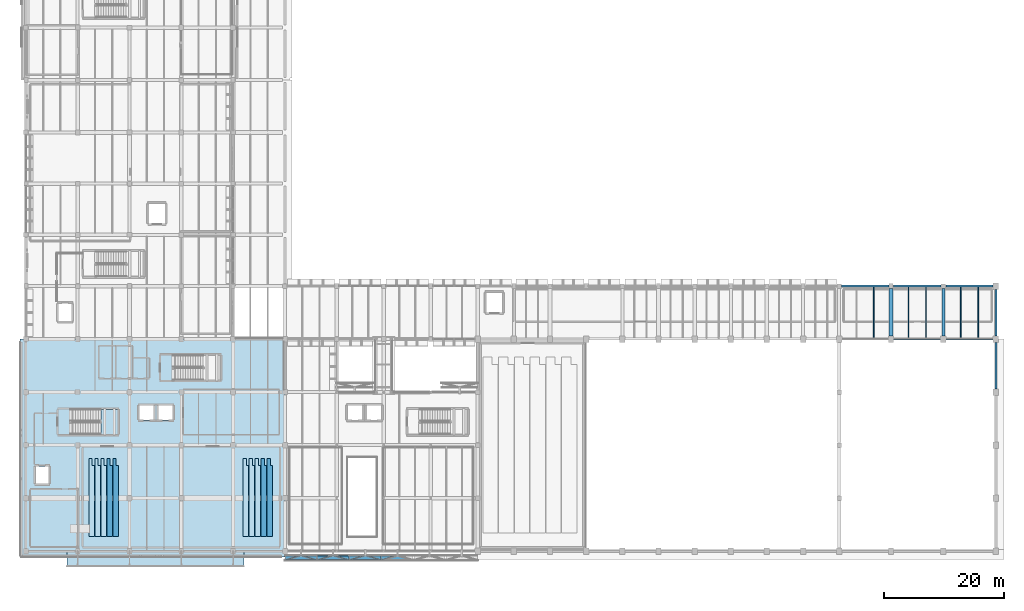
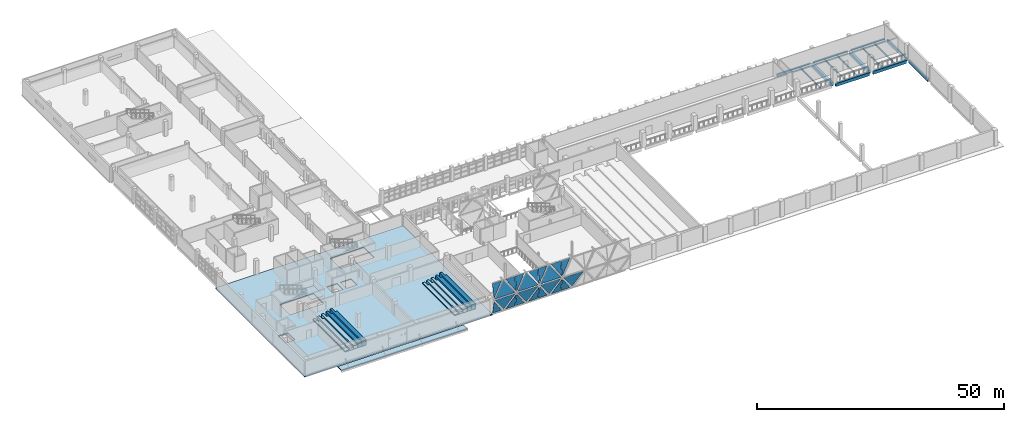
# One storey, part 48 of 80: 21 plates, 14 beams, 13 slabs, 5 elements without a shape of their own.
"""IFC4 building model written with IfcOpenShell, lengths in metres."""

from ifc_helpers import new_model, si_unit, direction, frame, origin, origin_2d, place, context, subcontext, project, spatial, polyline, rectangle, i_section, outline, extrude, material, layer, layer_set, material_profile, profile_set, type_object, element, aggregate, save


model = new_model("IFC4")

# Units and contexts
model_context = context("Model", 3, precision=1e-05, world=origin(), true_north=direction((0.0, 1.0)))
body_context = subcontext(model_context, "Body", "Model", "MODEL_VIEW")
ifc_project = project(units=[si_unit("LENGTHUNIT", "METRE"), si_unit("AREAUNIT", "SQUARE_METRE"), si_unit("VOLUMEUNIT", "CUBIC_METRE"), si_unit("PLANEANGLEUNIT", "RADIAN"), si_unit("MASSUNIT", "GRAM", prefix="KILO")], contexts=[model_context])

# Site, building, storey
site_placement = place(None, origin())
site = spatial("IfcSite", under=ifc_project, at=site_placement, CompositionType="ELEMENT")
building_placement = place(site_placement, origin())
building = spatial("IfcBuilding", under=site, at=building_placement, Name="Varnakota Cinema and Media Centre", CompositionType="ELEMENT")
storey_placement = place(building_placement, frame((0.0, 0.0, 4.5)))
storey = spatial("IfcBuildingStorey", under=building, at=storey_placement, Name="L01", CompositionType="ELEMENT", Elevation=4.5)

# Beams
ifc_material_1 = material(Name="Concrete M35", Category="concrete")
ifc_material_profile_1 = material_profile(ifc_material_1, rectangle(XDim=0.550048828125, YDim=0.800048828125, at=origin_2d()), Name="RCB 550x800")
ifc_profile_set_1 = profile_set([ifc_material_profile_1], Name="Concrete M35")
beam_type_1 = type_object("IfcBeamType", Name="BM-RC-550x800", PredefinedType="BEAM", material=ifc_profile_set_1)
beam_1_placement = place(storey_placement, frame((152.300048828125, 35.75, -0.64990234375), z_axis=(0.0, 1.0, 0.0), x_axis=(-1.0, 0.0, 0.0)))
element("IfcBeam", 1, at=beam_1_placement, inside=storey, type_object=beam_type_1, Name="L01 girder X/5-6", PredefinedType="BEAM", context=body_context, shape_type="SweptSolid", body=[
    extrude(rectangle(XDim=0.550048828125, YDim=0.800048828125, at=origin_2d()), origin(), (0.0, 0.0, 1.0), 7.85009765625),
])
ifc_material_2 = material(Name="Concrete M35", Category="concrete")
ifc_material_profile_2 = material_profile(ifc_material_2, rectangle(XDim=0.60009765625, YDim=0.85009765625, at=origin_2d()), Name="RCB 600x850")
ifc_profile_set_2 = profile_set([ifc_material_profile_2], Name="Concrete M35")
beam_type_2 = type_object("IfcBeamType", Name="BM-RC-600x850", PredefinedType="BEAM", material=ifc_profile_set_2)
beam_2_placement = place(storey_placement, frame((143.60009765625, 35.75, -0.675048828125), z_axis=(0.0, 1.0, 0.0), x_axis=(-1.0, 0.0, 0.0)))
element("IfcBeam", 2, at=beam_2_placement, inside=storey, type_object=beam_type_2, Name="L01 girder W/5-6", PredefinedType="BEAM", context=body_context, shape_type="SweptSolid", body=[
    extrude(rectangle(XDim=0.60009765625, YDim=0.85009765625, at=origin_2d()), origin(), (0.0, 0.0, 1.0), 7.824951171875),
])
ifc_material_3 = material(Name="Concrete M40", Category="concrete")
ifc_material_profile_3 = material_profile(ifc_material_3, rectangle(XDim=0.35009765625, YDim=0.64990234375, at=origin_2d()), Name="RCB 350x650")
ifc_profile_set_3 = profile_set([ifc_material_profile_3], Name="Concrete M40")
beam_type_3 = type_object("IfcBeamType", Name="BM-SP-350x650", PredefinedType="SPANDREL", material=ifc_profile_set_3)
beam_3_placement = place(storey_placement, frame((135.39990234375, 44.0, -0.574951171875), z_axis=(1.0, 0.0, 0.0), x_axis=(0.0, 1.0, 0.0)))
element("IfcBeam", 3, at=beam_3_placement, inside=storey, type_object=beam_type_3, Name="L01 girder V-W/6", PredefinedType="SPANDREL", context=body_context, shape_type="SweptSolid", body=[
    extrude(rectangle(XDim=0.35009765625, YDim=0.64990234375, at=origin_2d()), origin(), (0.0, 0.0, 1.0), 7.8251953125),
])
beam_4_placement = place(storey_placement, frame((143.97509765625, 44.0, -0.574951171875), z_axis=(1.0, 0.0, 0.0), x_axis=(0.0, 1.0, 0.0)))
element("IfcBeam", 4, at=beam_4_placement, inside=storey, type_object=beam_type_3, Name="L01 girder W-X/6", PredefinedType="SPANDREL", context=body_context, shape_type="SweptSolid", body=[
    extrude(rectangle(XDim=0.35009765625, YDim=0.64990234375, at=origin_2d()), origin(), (0.0, 0.0, 1.0), 7.9248046875),
])
beam_5_placement = place(storey_placement, frame((152.699951171875, 44.0, -0.574951171875), z_axis=(1.0, 0.0, 0.0), x_axis=(0.0, 1.0, 0.0)))
element("IfcBeam", 5, at=beam_5_placement, inside=storey, type_object=beam_type_3, Name="L01 girder X-Y/6", PredefinedType="SPANDREL", context=body_context, shape_type="SweptSolid", body=[
    extrude(rectangle(XDim=0.35009765625, YDim=0.64990234375, at=origin_2d()), origin(), (0.0, 0.0, 1.0), 7.85009765625),
])
ifc_material_4 = material(Name="Concrete M40", Category="concrete")
ifc_material_profile_4 = material_profile(ifc_material_4, rectangle(XDim=0.35009765625, YDim=0.75, at=origin_2d()), Name="RCB 350x750")
ifc_profile_set_4 = profile_set([ifc_material_profile_4], Name="Concrete M40")
beam_type_4 = type_object("IfcBeamType", Name="BM-SP-350x750", PredefinedType="SPANDREL", material=ifc_profile_set_4)
for number, where, z_axis, x_axis, name in (
    (6, (144.050048828125, 35.199951171875, -0.625), (1.0, 0.0, 0.0), (0.0, 1.0, 0.0), "L01 girder W-X/5"),
    (7, (152.75, 35.199951171875, -0.625), (1.0, 0.0, 0.0), (0.0, 1.0, 0.0), "L01 girder X-Y/5"),
):
    element("IfcBeam", number, at=place(storey_placement, frame(where, z_axis=z_axis, x_axis=x_axis)), inside=storey, type_object=beam_type_4, Name=name, PredefinedType="SPANDREL", context=body_context, shape_type="SweptSolid", body=[
        extrude(rectangle(XDim=0.35009765625, YDim=0.75, at=origin_2d()), origin(), (0.0, 0.0, 1.0), 7.800048828125),
    ])
for number, where, z_axis, x_axis, name in (
    (8, (161.0, 26.949951171875, -0.375), (0.0, 1.0, 0.0), (-1.0, 0.0, 0.0), "L01 girder Y/4-5"),
    (9, (161.0, 35.75, -0.625), (0.0, 1.0, 0.0), (-1.0, 0.0, 0.0), "L01 girder Y/5-6"),
):
    element("IfcBeam", number, at=place(storey_placement, frame(where, z_axis=z_axis, x_axis=x_axis)), inside=storey, type_object=beam_type_4, Name=name, PredefinedType="SPANDREL", context=body_context, shape_type="SweptSolid", body=[
        extrude(rectangle(XDim=0.35009765625, YDim=0.75, at=origin_2d()), origin(), (0.0, 0.0, 1.0), 7.699951171875),
    ])
ifc_material_5 = material(Name="Structural steel Grade 350 (E350)", Category="steel")
ifc_material_profile_5 = material_profile(ifc_material_5, i_section(OverallWidth=0.139892578125, OverallDepth=0.35009765625, WebThickness=0.008056640625, FlangeThickness=0.01416015625, FilletRadius=0.013916015625, at=origin_2d()), Name="ISMB 350")
ifc_profile_set_5 = profile_set([ifc_material_profile_5], Name="Structural steel Grade 350 (E350)")
beam_type_5 = type_object("IfcBeamType", Name="BM-ST-ISMB350", PredefinedType="JOIST", material=ifc_profile_set_5)
beam_6_placement = place(storey_placement, frame((140.7333984375, 35.375, -0.425048828125), z_axis=(0.0, 1.0, 0.0), x_axis=(-1.0, 0.0, 0.0)))
element("IfcBeam", 10, at=beam_6_placement, inside=storey, type_object=beam_type_5, Name="L01 steel joist V-W/5-6 #2", PredefinedType="JOIST", context=body_context, shape_type="SweptSolid", body=[
    extrude(i_section(OverallWidth=0.139892578125, OverallDepth=0.35009765625, WebThickness=0.008056640625, FlangeThickness=0.01416015625, FilletRadius=0.013916015625, at=origin_2d()), origin(), (0.0, 0.0, 1.0), 8.449951171875),
])
ifc_material_6 = material(Name="Structural steel Grade 350 (E350)", Category="steel")
ifc_material_profile_6 = material_profile(ifc_material_6, i_section(OverallWidth=0.139892578125, OverallDepth=0.39990234375, WebThickness=0.0087890625, FlangeThickness=0.01611328125, FilletRadius=0.013916015625, at=origin_2d()), Name="ISMB 400")
ifc_profile_set_6 = profile_set([ifc_material_profile_6], Name="Structural steel Grade 350 (E350)")
beam_type_6 = type_object("IfcBeamType", Name="BM-ST-ISMB400", PredefinedType="JOIST", material=ifc_profile_set_6)
for number, where, z_axis, x_axis, name in (
    (11, (146.5, 35.375, -0.449951171875), (0.0, 1.0, 0.0), (-1.0, 0.0, 0.0), "L01 steel joist W-X/5-6 #1"),
    (12, (149.39990234375, 35.375, -0.449951171875), (0.0, 1.0, 0.0), (-1.0, 0.0, 0.0), "L01 steel joist W-X/5-6 #2"),
):
    element("IfcBeam", number, at=place(storey_placement, frame(where, z_axis=z_axis, x_axis=x_axis)), inside=storey, type_object=beam_type_6, Name=name, PredefinedType="JOIST", context=body_context, shape_type="SweptSolid", body=[
        extrude(i_section(OverallWidth=0.139892578125, OverallDepth=0.39990234375, WebThickness=0.0087890625, FlangeThickness=0.01611328125, FilletRadius=0.013916015625, at=origin_2d()), origin(), (0.0, 0.0, 1.0), 8.449951171875),
    ])
ifc_material_7 = material(Name="Structural steel Grade 350 (E350)", Category="steel")
ifc_material_profile_7 = material_profile(ifc_material_7, i_section(OverallWidth=0.14990234375, OverallDepth=0.449951171875, WebThickness=0.009521484375, FlangeThickness=0.017333984375, FilletRadius=0.014892578125, at=origin_2d()), Name="ISMB 450")
ifc_profile_set_7 = profile_set([ifc_material_profile_7], Name="Structural steel Grade 350 (E350)")
beam_type_7 = type_object("IfcBeamType", Name="BM-ST-ISMB450", PredefinedType="BEAM", material=ifc_profile_set_7)
for number, where, z_axis, x_axis, name in (
    (13, (155.199951171875, 35.375, -0.47509765625), (0.0, 1.0, 0.0), (-1.0, 0.0, 0.0), "L01 steel joist X-Y/5-6 #1"),
    (14, (158.10009765625, 35.375, -0.47509765625), (0.0, 1.0, 0.0), (-1.0, 0.0, 0.0), "L01 steel joist X-Y/5-6 #2"),
):
    element("IfcBeam", number, at=place(storey_placement, frame(where, z_axis=z_axis, x_axis=x_axis)), inside=storey, type_object=beam_type_7, Name=name, PredefinedType="BEAM", context=body_context, shape_type="SweptSolid", body=[
        extrude(i_section(OverallWidth=0.14990234375, OverallDepth=0.449951171875, WebThickness=0.009521484375, FlangeThickness=0.017333984375, FilletRadius=0.014892578125, at=origin_2d()), origin(), (0.0, 0.0, 1.0), 8.449951171875),
    ])

# Curtain wall, plate
ifc_material_8 = material(Name="Anodised golden-bronze aluminium AW-6063", Category="aluminium")
curtain_wall_type = type_object("IfcCurtainWallType", Name="CW-DMD-533x750", PredefinedType="USERDEFINED", material=ifc_material_8)
curtain_wall_1_placement = place(storey_placement, origin())
curtain_wall_1 = element("IfcCurtainWall", 15, at=curtain_wall_1_placement, inside=storey, type_object=curtain_wall_type, Name="L01 folded diamond foyer curtain wall CW-V6DMD-S-T1-D03", ObjectType="DIAMOND FOLDED CURTAIN WALL", PredefinedType="USERDEFINED")
ifc_material_9 = material(Name="Laminated solar-control double glazing", Category="glass")
ifc_layer_1 = layer(ifc_material_9, 0.028076171875)
ifc_layer_set_1 = layer_set([ifc_layer_1], Name="Laminated solar-control double glazing")
plate_type_1 = type_object("IfcPlateType", Name="CWP-DGU-28", PredefinedType="CURTAIN_PANEL", material=ifc_layer_set_1)
plate_1_placement = place(storey_placement, frame((64.05322265625, -1.410888671875, 3.610107421875), z_axis=(0.0, 0.979936434053, 0.199310273733), x_axis=(-0.558848593139, 0.165281972661, -0.812631601317)))
plate_1 = element("IfcPlate", 16, at=plate_1_placement, type_object=plate_type_1, Name="CW-V6DMD-S-T1-D03 lower diamond fitted glass facet", PredefinedType="CURTAIN_PANEL", context=body_context, shape_type="SweptSolid", body=[
    extrude(outline(polyline([(0.0, 0.0), (4.270341982915933, 2.220446049250313e-16), (2.667492393667162, 3.9582646672133275), (0.0, 0.0)])), origin(), (0.0, 0.0, -1.0), 0.02392578125),
])

# Curtain wall, plates
curtain_wall_2_placement = place(storey_placement, origin())
curtain_wall_2 = element("IfcCurtainWall", 17, at=curtain_wall_2_placement, inside=storey, type_object=curtain_wall_type, Name="L01 folded diamond foyer curtain wall CW-V6DMD-S-T1-D04", ObjectType="DIAMOND FOLDED CURTAIN WALL", PredefinedType="USERDEFINED")
plate_2_placement = place(storey_placement, frame((58.719970703125, -1.410888671875, 3.610107421875), z_axis=(0.0, 0.979936434053, 0.199310273733), x_axis=(-0.558887907225, 0.165276691877, -0.812605637612)))
plate_2 = element("IfcPlate", 18, at=plate_2_placement, type_object=plate_type_1, Name="CW-V6DMD-S-T1-D04 lower diamond fitted glass facet", PredefinedType="CURTAIN_PANEL", context=body_context, shape_type="SweptSolid", body=[
    extrude(outline(polyline([(0.0, 0.0), (4.270478425359902, 2.220446049250313e-16), (2.667680047402581, 3.958138200047058), (0.0, 0.0)])), origin(), (0.0, 0.0, -1.0), 0.02392578125),
])
plate_3_placement = place(storey_placement, frame((58.719970703125, -1.410888671875, 3.889892578125), z_axis=(0.0, -0.979936434053, 0.199310273733), x_axis=(-1.0, 0.0, 0.0)))
plate_3 = element("IfcPlate", 19, at=plate_3_placement, type_object=plate_type_1, Name="CW-V6DMD-S-T1-D04 upper diamond fitted glass facet", PredefinedType="CURTAIN_PANEL", context=body_context, shape_type="SweptSolid", body=[
    extrude(outline(polyline([(0.0, 0.0), (4.773193359375, 0.0), (2.38671875, -3.5412652526834), (0.0, 0.0)])), origin(), (0.0, 0.0, -1.0), 0.02392578125),
])

curtain_wall_3_placement = place(storey_placement, origin())
curtain_wall_3 = element("IfcCurtainWall", 20, at=curtain_wall_3_placement, inside=storey, type_object=curtain_wall_type, Name="L01 folded diamond foyer curtain wall CW-V6DMD-S-T1-D05", ObjectType="DIAMOND FOLDED CURTAIN WALL", PredefinedType="USERDEFINED")
plate_4_placement = place(storey_placement, frame((53.38671875, -1.410888671875, 3.610107421875), z_axis=(0.0, 0.979936434053, 0.199310273733), x_axis=(-0.558887907225, 0.165276691877, -0.812605637612)))
plate_4 = element("IfcPlate", 21, at=plate_4_placement, type_object=plate_type_1, Name="CW-V6DMD-S-T1-D05 lower diamond fitted glass facet", PredefinedType="CURTAIN_PANEL", context=body_context, shape_type="SweptSolid", body=[
    extrude(outline(polyline([(0.0, 0.0), (4.270478425359902, 0.0), (2.6678164946455554, 3.9583406520034816), (0.0, 0.0)])), origin(), (0.0, 0.0, -1.0), 0.02392578125),
])
plate_5_placement = place(storey_placement, frame((53.38671875, -1.410888671875, 3.889892578125), z_axis=(0.0, -0.979936434053, 0.199310273733), x_axis=(-1.0, 0.0, 0.0)))
plate_5 = element("IfcPlate", 22, at=plate_5_placement, type_object=plate_type_1, Name="CW-V6DMD-S-T1-D05 upper diamond fitted glass facet", PredefinedType="CURTAIN_PANEL", context=body_context, shape_type="SweptSolid", body=[
    extrude(outline(polyline([(0.0, 0.0), (4.7734375, 0.0), (2.38671875, -3.5412652526833996), (0.0, 0.0)])), origin(), (0.0, 0.0, -1.0), 0.02392578125),
])

curtain_wall_4_placement = place(storey_placement, origin())
curtain_wall_4 = element("IfcCurtainWall", 23, at=curtain_wall_4_placement, inside=storey, type_object=curtain_wall_type, Name="L01 folded diamond foyer curtain wall CW-V6DMD-S-T1-D06", ObjectType="DIAMOND FOLDED CURTAIN WALL", PredefinedType="USERDEFINED")
plate_6_placement = place(storey_placement, frame((48.05322265625, -1.410888671875, 3.610107421875), z_axis=(0.0, 0.979936434053, 0.199310273733), x_axis=(-0.558848593139, 0.165281972661, -0.812631601317)))
plate_6 = element("IfcPlate", 24, at=plate_6_placement, type_object=plate_type_1, Name="CW-V6DMD-S-T1-D06 lower diamond fitted glass facet", PredefinedType="CURTAIN_PANEL", context=body_context, shape_type="SweptSolid", body=[
    extrude(outline(polyline([(0.0, 0.0), (4.270341982915933, 2.220446049250313e-16), (2.667492393667162, 3.9582646672133275), (0.0, 0.0)])), origin(), (0.0, 0.0, -1.0), 0.02392578125),
])
plate_7_placement = place(storey_placement, frame((48.05322265625, -1.410888671875, 3.889892578125), z_axis=(0.0, -0.979936434053, 0.199310273733), x_axis=(-1.0, 0.0, 0.0)))
plate_7 = element("IfcPlate", 25, at=plate_7_placement, type_object=plate_type_1, Name="CW-V6DMD-S-T1-D06 upper diamond fitted glass facet", PredefinedType="CURTAIN_PANEL", context=body_context, shape_type="SweptSolid", body=[
    extrude(outline(polyline([(0.0, 0.0), (4.773193359375, 0.0), (2.386474609375, -3.5412652526834), (0.0, 0.0)])), origin(), (0.0, 0.0, -1.0), 0.02392578125),
])

# Plate
ifc_material_10 = material(Name="Anodised golden-bronze aluminium AW-6063", Category="aluminium")
ifc_layer_2 = layer(ifc_material_10, 0.035888671875)
ifc_layer_set_2 = layer_set([ifc_layer_2], Name="Anodised golden-bronze aluminium AW-6063")
plate_type_2 = type_object("IfcPlateType", Name="CWP-GOLD-36", PredefinedType="CURTAIN_PANEL", material=ifc_layer_set_2)
plate_8_placement = place(storey_placement, frame((61.186767578125, -0.778076171875, 0.10009765625), z_axis=(0.0, 0.979925277754, 0.199365117357), x_axis=(-1.0, 0.0, 0.0)))
plate_8 = element("IfcPlate", 26, at=plate_8_placement, type_object=plate_type_2, Name="CW-V6DMD-S-T1-D03 golden metal folded diamond spandrel SP-BR", PredefinedType="CURTAIN_PANEL", context=body_context, shape_type="SweptSolid", body=[
    extrude(outline(polyline([(0.0, 0.0), (2.126708984375, 0.0), (2.126708984375, 3.337009061287777), (0.0, 0.0)])), origin(), (0.0, 0.0, -1.0), 0.028076171875),
])

plate_9_placement = place(storey_placement, frame((59.06005859375, -1.443359375, 4.1298828125), z_axis=(0.0, -0.979925277754, 0.199365117357), x_axis=(0.0, 0.199365117357, 0.979925277754)))
plate_9 = element("IfcPlate", 27, at=plate_9_placement, type_object=plate_type_2, Name="CW-V6DMD-S-T1-D03 golden metal folded diamond spandrel SP-TR", PredefinedType="CURTAIN_PANEL", context=body_context, shape_type="SweptSolid", body=[
    extrude(outline(polyline([(0.0, 0.0), (3.337009061287777, 0.0), (3.337009061287777, -2.126708984375), (0.0, 0.0)])), origin(), (0.0, 0.0, -1.0), 0.028076171875),
])

aggregate(curtain_wall_1, [plate_1, plate_8, plate_9])

plate_10_placement = place(storey_placement, frame((58.93994140625, -0.778076171875, 0.10009765625), z_axis=(0.0, 0.979925277754, 0.199365117357), x_axis=(-1.0, 0.0, 0.0)))
plate_10 = element("IfcPlate", 28, at=plate_10_placement, type_object=plate_type_2, Name="CW-V6DMD-S-T1-D04 golden metal folded diamond spandrel SP-BL", PredefinedType="CURTAIN_PANEL", context=body_context, shape_type="SweptSolid", body=[
    extrude(outline(polyline([(0.0, 0.0), (2.126708984375, 0.0), (0.0, 3.337009061287777), (0.0, 0.0)])), origin(), (0.0, 0.0, -1.0), 0.028076171875),
])

plate_11_placement = place(storey_placement, frame((55.853271484375, -0.778076171875, 0.10009765625), z_axis=(0.0, 0.979925277754, 0.199365117357), x_axis=(-1.0, 0.0, 0.0)))
plate_11 = element("IfcPlate", 29, at=plate_11_placement, type_object=plate_type_2, Name="CW-V6DMD-S-T1-D04 golden metal folded diamond spandrel SP-BR", PredefinedType="CURTAIN_PANEL", context=body_context, shape_type="SweptSolid", body=[
    extrude(outline(polyline([(0.0, 0.0), (2.126708984375, 0.0), (2.126708984375, 3.337009061287777), (0.0, 0.0)])), origin(), (0.0, 0.0, -1.0), 0.028076171875),
])

plate_12_placement = place(storey_placement, frame((58.93994140625, -1.443359375, 4.1298828125), z_axis=(0.0, -0.979925277754, 0.199365117357), x_axis=(-0.537443360527, 0.168124573233, 0.826370838124)))
plate_12 = element("IfcPlate", 30, at=plate_12_placement, type_object=plate_type_2, Name="CW-V6DMD-S-T1-D04 golden metal folded diamond spandrel SP-TL", PredefinedType="CURTAIN_PANEL", context=body_context, shape_type="SweptSolid", body=[
    extrude(outline(polyline([(0.0, 0.0), (3.957084858748682, -2.220446049250313e-16), (2.814099235323971, -1.7934533640063717), (0.0, 0.0)])), origin(), (0.0, 0.0, -1.0), 0.028076171875),
])

plate_13_placement = place(storey_placement, frame((53.7265625, -1.443359375, 4.1298828125), z_axis=(0.0, -0.979925277754, 0.199365117357), x_axis=(0.0, 0.199365117357, 0.979925277754)))
plate_13 = element("IfcPlate", 31, at=plate_13_placement, type_object=plate_type_2, Name="CW-V6DMD-S-T1-D04 golden metal folded diamond spandrel SP-TR", PredefinedType="CURTAIN_PANEL", context=body_context, shape_type="SweptSolid", body=[
    extrude(outline(polyline([(0.0, 0.0), (3.337009061287777, 0.0), (3.337009061287777, -2.126708984375), (0.0, 0.0)])), origin(), (0.0, 0.0, -1.0), 0.028076171875),
])

aggregate(curtain_wall_2, [plate_2, plate_3, plate_10, plate_11, plate_12, plate_13])

plate_14_placement = place(storey_placement, frame((53.606689453125, -0.778076171875, 0.10009765625), z_axis=(0.0, 0.979925277754, 0.199365117357), x_axis=(-1.0, 0.0, 0.0)))
plate_14 = element("IfcPlate", 32, at=plate_14_placement, type_object=plate_type_2, Name="CW-V6DMD-S-T1-D05 golden metal folded diamond spandrel SP-BL", PredefinedType="CURTAIN_PANEL", context=body_context, shape_type="SweptSolid", body=[
    extrude(outline(polyline([(0.0, 0.0), (2.126708984375, 0.0), (0.0, 3.337009061287777), (0.0, 0.0)])), origin(), (0.0, 0.0, -1.0), 0.028076171875),
])

plate_15_placement = place(storey_placement, frame((50.52001953125, -0.778076171875, 0.10009765625), z_axis=(0.0, 0.979925277754, 0.199365117357), x_axis=(-1.0, 0.0, 0.0)))
plate_15 = element("IfcPlate", 33, at=plate_15_placement, type_object=plate_type_2, Name="CW-V6DMD-S-T1-D05 golden metal folded diamond spandrel SP-BR", PredefinedType="CURTAIN_PANEL", context=body_context, shape_type="SweptSolid", body=[
    extrude(outline(polyline([(0.0, 0.0), (2.126708984375, 0.0), (2.126708984375, 3.337009061287777), (0.0, 0.0)])), origin(), (0.0, 0.0, -1.0), 0.028076171875),
])

plate_16_placement = place(storey_placement, frame((53.606689453125, -1.443359375, 4.1298828125), z_axis=(0.0, -0.979925277754, 0.199365117357), x_axis=(-0.537443360527, 0.168124573233, 0.826370838124)))
plate_16 = element("IfcPlate", 34, at=plate_16_placement, type_object=plate_type_2, Name="CW-V6DMD-S-T1-D05 golden metal folded diamond spandrel SP-TL", PredefinedType="CURTAIN_PANEL", context=body_context, shape_type="SweptSolid", body=[
    extrude(outline(polyline([(0.0, 0.0), (3.957084858748682, -2.220446049250313e-16), (2.814099235323971, -1.7934533640063717), (0.0, 0.0)])), origin(), (0.0, 0.0, -1.0), 0.028076171875),
])

plate_17_placement = place(storey_placement, frame((48.393310546875, -1.443359375, 4.1298828125), z_axis=(0.0, -0.979925277754, 0.199365117357), x_axis=(0.0, 0.199365117357, 0.979925277754)))
plate_17 = element("IfcPlate", 35, at=plate_17_placement, type_object=plate_type_2, Name="CW-V6DMD-S-T1-D05 golden metal folded diamond spandrel SP-TR", PredefinedType="CURTAIN_PANEL", context=body_context, shape_type="SweptSolid", body=[
    extrude(outline(polyline([(0.0, 0.0), (3.337009061287777, 0.0), (3.337009061287777, -2.126708984375), (0.0, 0.0)])), origin(), (0.0, 0.0, -1.0), 0.028076171875),
])

aggregate(curtain_wall_3, [plate_4, plate_5, plate_14, plate_15, plate_16, plate_17])

plate_18_placement = place(storey_placement, frame((48.2734375, -0.778076171875, 0.10009765625), z_axis=(0.0, 0.979925277754, 0.199365117357), x_axis=(-1.0, 0.0, 0.0)))
plate_18 = element("IfcPlate", 36, at=plate_18_placement, type_object=plate_type_2, Name="CW-V6DMD-S-T1-D06 golden metal folded diamond spandrel SP-BL", PredefinedType="CURTAIN_PANEL", context=body_context, shape_type="SweptSolid", body=[
    extrude(outline(polyline([(0.0, 0.0), (2.126708984375, 0.0), (0.0, 3.337009061287777), (0.0, 0.0)])), origin(), (0.0, 0.0, -1.0), 0.028076171875),
])

plate_19_placement = place(storey_placement, frame((45.186767578125, -0.778076171875, 0.10009765625), z_axis=(0.0, 0.979925277754, 0.199365117357), x_axis=(-1.0, 0.0, 0.0)))
plate_19 = element("IfcPlate", 37, at=plate_19_placement, type_object=plate_type_2, Name="CW-V6DMD-S-T1-D06 golden metal folded diamond spandrel SP-BR", PredefinedType="CURTAIN_PANEL", context=body_context, shape_type="SweptSolid", body=[
    extrude(outline(polyline([(0.0, 0.0), (2.126708984375, 0.0), (2.126708984375, 3.337009061287777), (0.0, 0.0)])), origin(), (0.0, 0.0, -1.0), 0.028076171875),
])

plate_20_placement = place(storey_placement, frame((48.2734375, -1.443359375, 4.1298828125), z_axis=(0.0, -0.979925277754, 0.199365117357), x_axis=(-0.537443360527, 0.168124573233, 0.826370838124)))
plate_20 = element("IfcPlate", 38, at=plate_20_placement, type_object=plate_type_2, Name="CW-V6DMD-S-T1-D06 golden metal folded diamond spandrel SP-TL", PredefinedType="CURTAIN_PANEL", context=body_context, shape_type="SweptSolid", body=[
    extrude(outline(polyline([(0.0, 0.0), (3.957084858748682, -2.220446049250313e-16), (2.814099235323971, -1.7934533640063717), (0.0, 0.0)])), origin(), (0.0, 0.0, -1.0), 0.028076171875),
])

plate_21_placement = place(storey_placement, frame((43.06005859375, -1.443359375, 4.1298828125), z_axis=(0.0, -0.979925277754, 0.199365117357), x_axis=(0.0, 0.199365117357, 0.979925277754)))
plate_21 = element("IfcPlate", 39, at=plate_21_placement, type_object=plate_type_2, Name="CW-V6DMD-S-T1-D06 golden metal folded diamond spandrel SP-TR", PredefinedType="CURTAIN_PANEL", context=body_context, shape_type="SweptSolid", body=[
    extrude(outline(polyline([(0.0, 0.0), (3.337009061287777, 0.0), (3.337009061287777, -2.126708984375), (0.0, 0.0)])), origin(), (0.0, 0.0, -1.0), 0.028076171875),
])

aggregate(curtain_wall_4, [plate_6, plate_7, plate_18, plate_19, plate_20, plate_21])

# Slab
ifc_material_11 = material(Name="Concrete M35", Category="concrete")
ifc_layer_3 = layer(ifc_material_11, 0.25)
ifc_layer_set_3 = layer_set([ifc_layer_3], Name="Concrete M35")
slab_type_1 = type_object("IfcSlabType", Name="SLB-FLR-250", PredefinedType="FLOOR", material=ifc_layer_set_3)
slab_1_placement = place(storey_placement, frame((0.0, 0.0, -0.25)))
element("IfcSlab", 40, at=slab_1_placement, inside=storey, type_object=slab_type_1, Name="L01 V4 floor slab", PredefinedType="FLOOR", context=body_context, shape_type="SweptSolid", body=[
    extrude(outline(polyline([(-0.949951171875, -0.949951171875), (43.0, -0.949951171875), (43.0, 35.199951171875), (-0.949951171875, 35.199951171875), (-0.949951171875, -0.949951171875)]), holes=[polyline([(7.39990234375, 19.39990234375), (15.280029296875, 19.39990234375), (15.280029296875, 23.550048828125), (7.39990234375, 23.550048828125), (7.39990234375, 19.39990234375)]), polyline([(24.39990234375, 28.39990234375), (32.280029296875, 28.39990234375), (32.280029296875, 32.550048828125), (24.39990234375, 32.550048828125), (24.39990234375, 28.39990234375)]), polyline([(1.60009765625, 11.199951171875), (3.800048828125, 11.199951171875), (3.800048828125, 14.10009765625), (1.60009765625, 14.10009765625), (1.60009765625, 11.199951171875)]), polyline([(18.800048828125, 21.800048828125), (21.199951171875, 21.800048828125), (21.199951171875, 24.199951171875), (18.800048828125, 24.199951171875), (18.800048828125, 21.800048828125)]), polyline([(22.0, 21.800048828125), (24.39990234375, 21.800048828125), (24.39990234375, 24.199951171875), (22.0, 24.199951171875), (22.0, 21.800048828125)])]), origin(), (0.0, 0.0, 1.0), 0.25),
])

# Stair, slab
ifc_material_12 = material(Name="Concrete M35", Category="concrete")
stair_type = type_object("IfcStairType", Name="STR-CORE-ST-01-2000", PredefinedType="HALF_TURN_STAIR", material=ifc_material_12)
stair_placement = place(storey_placement, origin())
stair = element("IfcStair", 41, at=stair_placement, inside=storey, type_object=stair_type, Name="L01 West Firefighting Stair 1", PredefinedType="HALF_TURN_STAIR")
ifc_material_13 = material(Name="Concrete M35", Category="concrete")
ifc_layer_4 = layer(ifc_material_13, 0.199951171875)
ifc_layer_set_4 = layer_set([ifc_layer_4], Name="Concrete M35")
slab_type_2 = type_object("IfcSlabType", Name="SLB-LAND-ST-01", PredefinedType="LANDING", material=ifc_layer_set_4)
slab_2_placement = place(storey_placement, frame((0.0, 0.0, 1.75)))
slab_2 = element("IfcSlab", 42, at=slab_2_placement, type_object=slab_type_2, Name="ST-01 landing 1", PredefinedType="LANDING", context=body_context, shape_type="SweptSolid", body=[
    extrude(outline(polyline([(12.43994140625, 19.39990234375), (15.280029296875, 19.39990234375), (15.280029296875, 23.550048828125), (12.43994140625, 23.550048828125), (12.43994140625, 19.39990234375)])), origin(), (0.0, 0.0, 1.0), 0.199951171875),
])
aggregate(stair, [slab_2])

# Slabs
ifc_material_14 = material(Name="Concrete M35", Category="concrete")
ifc_layer_5 = layer(ifc_material_14, 0.25)
ifc_layer_set_5 = layer_set([ifc_layer_5], Name="Concrete M35")
slab_type_3 = type_object("IfcSlabType", Name="SLB-ROOF-250", PredefinedType="ROOF", material=ifc_layer_set_5)
slab_3_placement = place(storey_placement, frame((0.0, 0.0, -0.550048828125)))
element("IfcSlab", 43, at=slab_3_placement, inside=storey, type_object=slab_type_3, Name="V4 monumental cantilevered cinema entrance marquee", PredefinedType="ROOF", context=body_context, shape_type="SweptSolid", body=[
    extrude(outline(polyline([(6.800048828125, -2.5), (36.199951171875, -2.5), (36.199951171875, 0.0), (6.800048828125, 0.0), (6.800048828125, -2.5)])), origin(), (0.0, 0.0, 1.0), 0.25),
])
ifc_material_15 = material(Name="Concrete M35", Category="concrete")
ifc_layer_6 = layer(ifc_material_15, 0.18994140625)
ifc_layer_set_6 = layer_set([ifc_layer_6], Name="Concrete M35")
slab_type_4 = type_object("IfcSlabType", Name="SLB-TIER-190", PredefinedType="USERDEFINED", material=ifc_layer_set_6)
slab_4_placement = place(storey_placement, origin())
element("IfcSlab", 44, at=slab_4_placement, inside=storey, type_object=slab_type_4, Name="L01 V4-SCR2 raked seating tier 1", ObjectType="SEATING TIER", PredefinedType="USERDEFINED", context=body_context, shape_type="SweptSolid", body=[
    extrude(outline(polyline([(10.43994140625, 2.39990234375), (11.360107421875, 2.39990234375), (11.360107421875, 14.199951171875), (10.991943359375, 14.199951171875), (10.991943359375, 15.39990234375), (10.43994140625, 15.39990234375), (10.43994140625, 2.39990234375)])), origin(), (0.0, 0.0, 1.0), 0.260009765625),
])
slab_5_placement = place(storey_placement, origin())
element("IfcSlab", 45, at=slab_5_placement, inside=storey, type_object=slab_type_4, Name="L01 V4-SCR2 raked seating tier 2", ObjectType="SEATING TIER", PredefinedType="USERDEFINED", context=body_context, shape_type="SweptSolid", body=[
    extrude(outline(polyline([(11.43994140625, 2.39990234375), (12.360107421875, 2.39990234375), (12.360107421875, 14.199951171875), (11.991943359375, 14.199951171875), (11.991943359375, 15.39990234375), (11.43994140625, 15.39990234375), (11.43994140625, 2.39990234375)])), origin(), (0.0, 0.0, 1.0), 0.52001953125),
])
slab_6_placement = place(storey_placement, origin())
element("IfcSlab", 46, at=slab_6_placement, inside=storey, type_object=slab_type_4, Name="L01 V4-SCR2 raked seating tier 3", ObjectType="SEATING TIER", PredefinedType="USERDEFINED", context=body_context, shape_type="SweptSolid", body=[
    extrude(outline(polyline([(12.43994140625, 2.39990234375), (13.360107421875, 2.39990234375), (13.360107421875, 14.199951171875), (12.991943359375, 14.199951171875), (12.991943359375, 15.39990234375), (12.43994140625, 15.39990234375), (12.43994140625, 2.39990234375)])), origin(), (0.0, 0.0, 1.0), 0.780029296875),
])
slab_7_placement = place(storey_placement, origin())
element("IfcSlab", 47, at=slab_7_placement, inside=storey, type_object=slab_type_4, Name="L01 V4-SCR2 raked seating tier 4", ObjectType="SEATING TIER", PredefinedType="USERDEFINED", context=body_context, shape_type="SweptSolid", body=[
    extrude(outline(polyline([(13.43994140625, 2.39990234375), (14.360107421875, 2.39990234375), (14.360107421875, 14.199951171875), (13.991943359375, 14.199951171875), (13.991943359375, 15.39990234375), (13.43994140625, 15.39990234375), (13.43994140625, 2.39990234375)])), origin(), (0.0, 0.0, 1.0), 1.0400390625),
])
slab_8_placement = place(storey_placement, origin())
element("IfcSlab", 48, at=slab_8_placement, inside=storey, type_object=slab_type_4, Name="L01 V4-SCR2 raked seating tier 5", ObjectType="SEATING TIER", PredefinedType="USERDEFINED", context=body_context, shape_type="SweptSolid", body=[
    extrude(outline(polyline([(14.43994140625, 2.39990234375), (15.360107421875, 2.39990234375), (15.360107421875, 14.199951171875), (14.991943359375, 14.199951171875), (14.991943359375, 15.39990234375), (14.43994140625, 15.39990234375), (14.43994140625, 2.39990234375)])), origin(), (0.0, 0.0, 1.0), 1.300048828125),
])
slab_9_placement = place(storey_placement, origin())
element("IfcSlab", 49, at=slab_9_placement, inside=storey, type_object=slab_type_4, Name="L01 V4-SCR3 raked seating tier 1", ObjectType="SEATING TIER", PredefinedType="USERDEFINED", context=body_context, shape_type="SweptSolid", body=[
    extrude(outline(polyline([(36.0400390625, 2.39990234375), (36.9599609375, 2.39990234375), (36.9599609375, 14.199951171875), (36.592041015625, 14.199951171875), (36.592041015625, 15.39990234375), (36.0400390625, 15.39990234375), (36.0400390625, 2.39990234375)])), origin(), (0.0, 0.0, 1.0), 0.260009765625),
])
slab_10_placement = place(storey_placement, origin())
element("IfcSlab", 50, at=slab_10_placement, inside=storey, type_object=slab_type_4, Name="L01 V4-SCR3 raked seating tier 2", ObjectType="SEATING TIER", PredefinedType="USERDEFINED", context=body_context, shape_type="SweptSolid", body=[
    extrude(outline(polyline([(37.0400390625, 2.39990234375), (37.9599609375, 2.39990234375), (37.9599609375, 14.199951171875), (37.592041015625, 14.199951171875), (37.592041015625, 15.39990234375), (37.0400390625, 15.39990234375), (37.0400390625, 2.39990234375)])), origin(), (0.0, 0.0, 1.0), 0.52001953125),
])
slab_11_placement = place(storey_placement, origin())
element("IfcSlab", 51, at=slab_11_placement, inside=storey, type_object=slab_type_4, Name="L01 V4-SCR3 raked seating tier 3", ObjectType="SEATING TIER", PredefinedType="USERDEFINED", context=body_context, shape_type="SweptSolid", body=[
    extrude(outline(polyline([(38.0400390625, 2.39990234375), (38.9599609375, 2.39990234375), (38.9599609375, 14.199951171875), (38.592041015625, 14.199951171875), (38.592041015625, 15.39990234375), (38.0400390625, 15.39990234375), (38.0400390625, 2.39990234375)])), origin(), (0.0, 0.0, 1.0), 0.780029296875),
])
slab_12_placement = place(storey_placement, origin())
element("IfcSlab", 52, at=slab_12_placement, inside=storey, type_object=slab_type_4, Name="L01 V4-SCR3 raked seating tier 4", ObjectType="SEATING TIER", PredefinedType="USERDEFINED", context=body_context, shape_type="SweptSolid", body=[
    extrude(outline(polyline([(39.0400390625, 2.39990234375), (39.9599609375, 2.39990234375), (39.9599609375, 14.199951171875), (39.592041015625, 14.199951171875), (39.592041015625, 15.39990234375), (39.0400390625, 15.39990234375), (39.0400390625, 2.39990234375)])), origin(), (0.0, 0.0, 1.0), 1.0400390625),
])
slab_13_placement = place(storey_placement, origin())
element("IfcSlab", 53, at=slab_13_placement, inside=storey, type_object=slab_type_4, Name="L01 V4-SCR3 raked seating tier 5", ObjectType="SEATING TIER", PredefinedType="USERDEFINED", context=body_context, shape_type="SweptSolid", body=[
    extrude(outline(polyline([(40.0400390625, 2.39990234375), (40.9599609375, 2.39990234375), (40.9599609375, 14.199951171875), (40.592041015625, 14.199951171875), (40.592041015625, 15.39990234375), (40.0400390625, 15.39990234375), (40.0400390625, 2.39990234375)])), origin(), (0.0, 0.0, 1.0), 1.300048828125),
])

save(model, "model.ifc")
